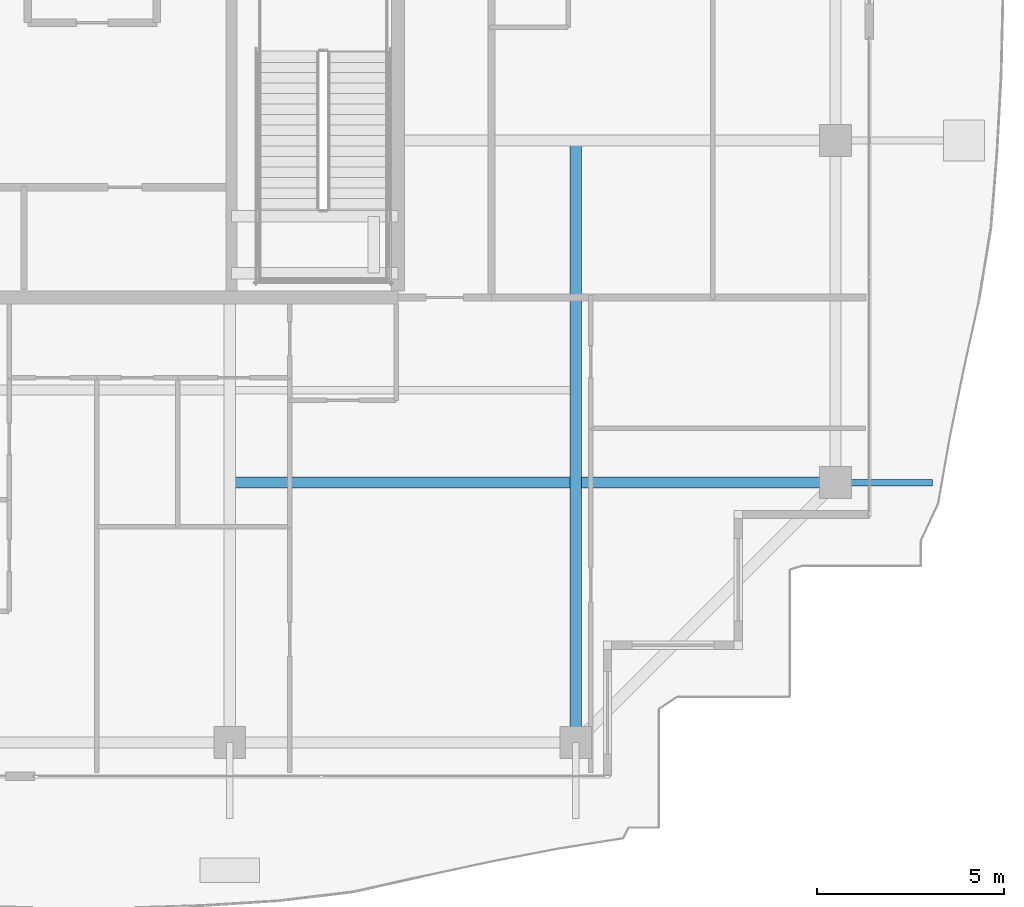
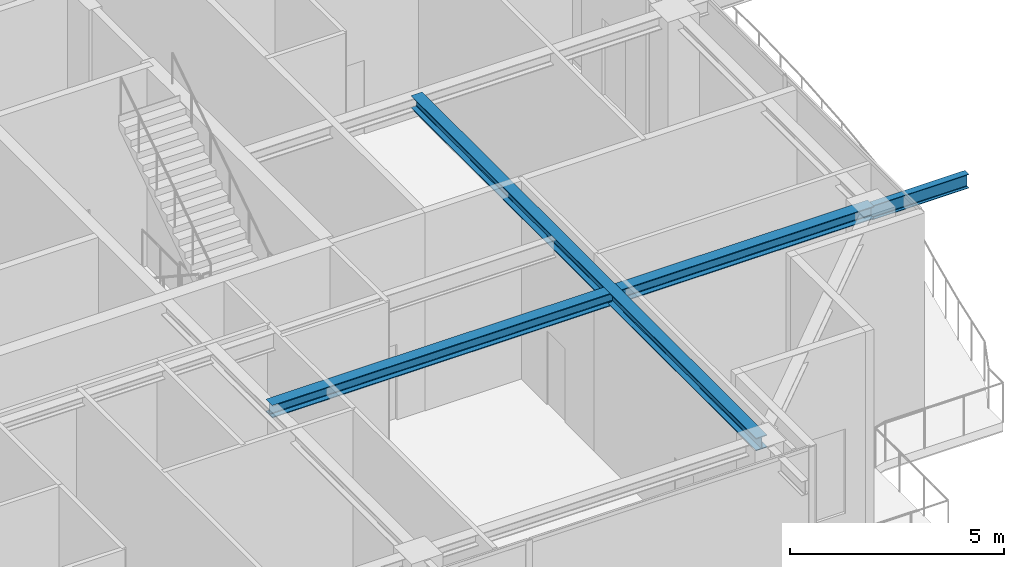
# One storey, part 12 of 38: 3 beams.
"""IFC4 building model written with IfcOpenShell, lengths in metres."""

from ifc_helpers import new_model, si_unit, direction, frame, origin, origin_2d, place, context, subcontext, project, spatial, i_section, extrude, source, transform, mapped, material, material_profile, profile_set, type_object, element, save


model = new_model("IFC4")

# Units and contexts
model_context = context("Model", 3, precision=1e-05, world=origin(), true_north=direction((0.0, 1.0)))
body_context = subcontext(model_context, "Body", "Model", "MODEL_VIEW")
ifc_project = project(units=[si_unit("LENGTHUNIT", "METRE"), si_unit("AREAUNIT", "SQUARE_METRE"), si_unit("VOLUMEUNIT", "CUBIC_METRE"), si_unit("PLANEANGLEUNIT", "RADIAN"), si_unit("MASSUNIT", "GRAM", prefix="KILO")], contexts=[model_context])

# Site, building, storey
site_placement = place(None, origin())
site = spatial("IfcSite", under=ifc_project, at=site_placement, CompositionType="ELEMENT")
building_placement = place(site_placement, origin())
building = spatial("IfcBuilding", under=site, at=building_placement, Name="Serunith Strait Residences", CompositionType="ELEMENT")
storey_placement = place(building_placement, frame((0.0, 0.0, 342.050048828125)))
storey = spatial("IfcBuildingStorey", under=building, at=storey_placement, Name="L85", CompositionType="ELEMENT", Elevation=342.050048828125)

# Beams
ifc_material = material(Name="Steel S355J2", Category="steel")
ifc_material_profile_1 = material_profile(ifc_material, i_section(OverallWidth=0.300048828125, OverallDepth=0.360107421875, WebThickness=0.012451171875, FlangeThickness=0.0224609375, FilletRadius=0.027099609375, at=origin_2d()), Name="HEB 360")
ifc_profile_set_1 = profile_set([ifc_material_profile_1], Name="Steel S355J2")
beam_type_1 = type_object("IfcBeamType", Name="BM-HEB360", PredefinedType="BEAM", material=ifc_profile_set_1)
shared_shape_1 = source(origin(), body_context, "Body", "SweptSolid", [
    extrude(i_section(OverallWidth=0.300048828125, OverallDepth=0.360107421875, WebThickness=0.012451171875, FlangeThickness=0.0224609375, FilletRadius=0.027099609375, at=origin_2d()), origin(), (0.0, 0.0, 1.0), 16.10009765625),
])
beam_1_placement = place(storey_placement, frame((46.14990234375, 21.0, 5.45703125), z_axis=(0.0, -1.0, 0.0), x_axis=(1.0, 0.0, 0.0)))
element("IfcBeam", 1, at=beam_1_placement, inside=storey, type_object=beam_type_1, Name="L85 Orthogonal Corner Girder TC-S4", PredefinedType="BEAM", context=body_context, shape_type="MappedRepresentation", body=[
    mapped(shared_shape_1, transform((0.0, 0.0, 0.0), scale=1.0)),
])
shared_shape_2 = source(origin(), body_context, "Body", "SweptSolid", [
    extrude(i_section(OverallWidth=0.300048828125, OverallDepth=0.360107421875, WebThickness=0.012451171875, FlangeThickness=0.0224609375, FilletRadius=0.027099609375, at=origin_2d()), origin(), (0.0, 0.0, 1.0), 16.2001953125),
])
beam_2_placement = place(storey_placement, frame((36.89990234375, 11.85009765625, 5.45703125), z_axis=(1.0, 0.0, 0.0), x_axis=(0.0, 1.0, 0.0)))
element("IfcBeam", 2, at=beam_2_placement, inside=storey, type_object=beam_type_1, Name="L85 Orthogonal Corner Girder TC-E1", PredefinedType="BEAM", context=body_context, shape_type="MappedRepresentation", body=[
    mapped(shared_shape_2, transform((0.0, 0.0, 0.0), scale=1.0)),
])
ifc_material_profile_2 = material_profile(ifc_material, i_section(OverallWidth=0.179931640625, OverallDepth=0.39990234375, WebThickness=0.008544921875, FlangeThickness=0.013427734375, FilletRadius=0.02099609375, at=origin_2d()), Name="IPE 400")
ifc_profile_set_2 = profile_set([ifc_material_profile_2], Name="Steel S355J2")
beam_type_2 = type_object("IfcBeamType", Name="BM-IPE400", PredefinedType="JOIST", material=ifc_profile_set_2)
shared_shape_3 = source(origin(), body_context, "Body", "SweptSolid", [
    extrude(i_section(OverallWidth=0.179931640625, OverallDepth=0.39990234375, WebThickness=0.008544921875, FlangeThickness=0.013427734375, FilletRadius=0.02099609375, at=origin_2d()), origin(), (0.0, 0.0, 1.0), 2.593017578125),
])
beam_3_placement = place(storey_placement, frame((53.10009765625, 11.85009765625, 5.406982421875), z_axis=(1.0, 0.0, 0.0), x_axis=(0.0, 1.0, 0.0)))
element("IfcBeam", 3, at=beam_3_placement, inside=storey, type_object=beam_type_2, Name="L86 Cantilevered Balcony Rib TC-E1", PredefinedType="JOIST", context=body_context, shape_type="MappedRepresentation", body=[
    mapped(shared_shape_3, transform((0.0, 0.0, 0.0), scale=1.0)),
])

save(model, "model.ifc")
